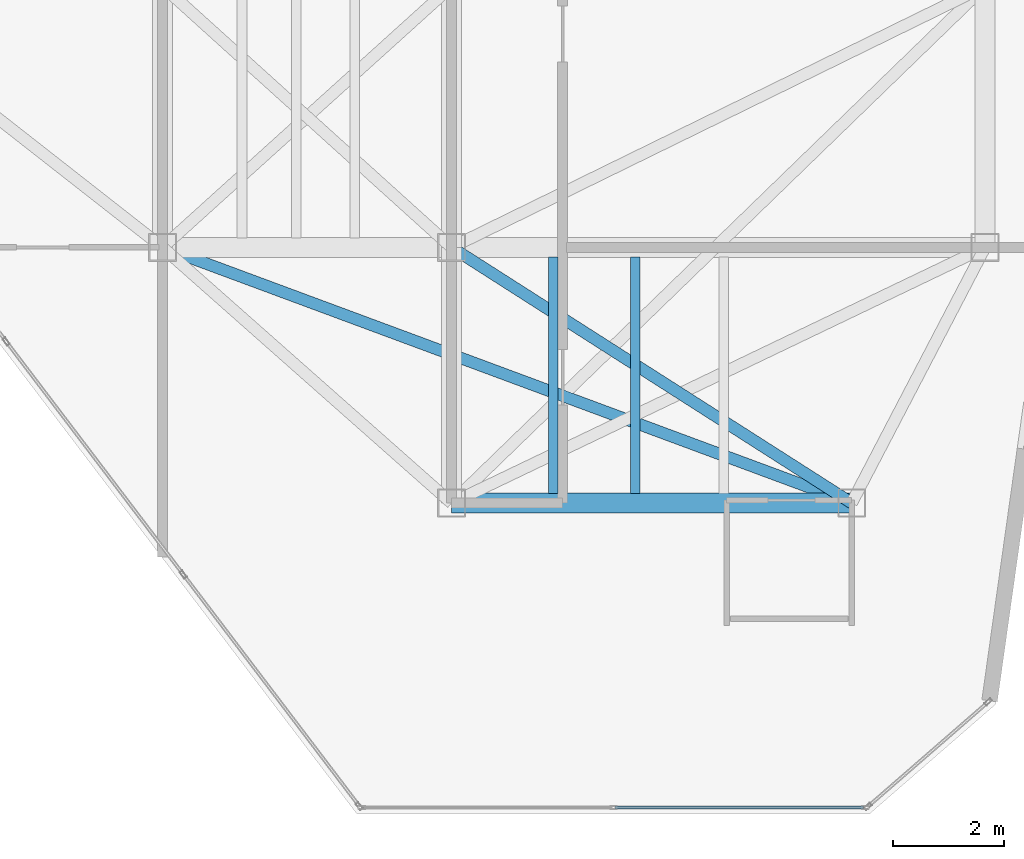
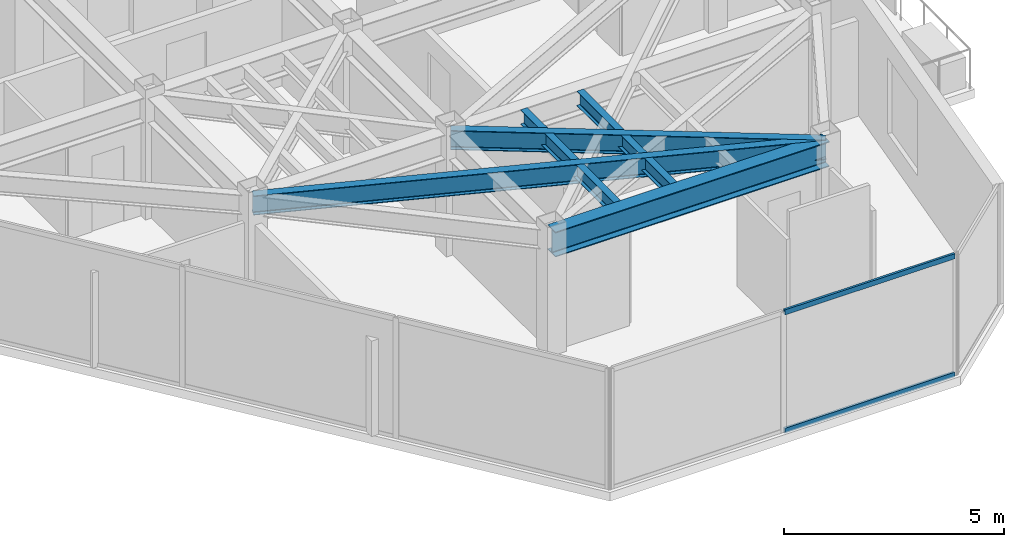
# One storey, part 13 of 20: 5 beams, 2 members, 1 element without a shape of its own.
"""IFC4 building model written with IfcOpenShell, lengths in metres."""

from ifc_helpers import new_model, si_unit, direction, frame, origin, origin_2d, place, context, subcontext, project, spatial, hollow_rectangle, i_section, extrude, material, layer, layer_set, material_profile, profile_set, type_object, element, aggregate, save


model = new_model("IFC4")

# Units and contexts
model_context = context("Model", 3, precision=1e-05, world=origin(), true_north=direction((0.0, 1.0)))
body_context = subcontext(model_context, "Body", "Model", "MODEL_VIEW")
ifc_project = project(units=[si_unit("LENGTHUNIT", "METRE"), si_unit("AREAUNIT", "SQUARE_METRE"), si_unit("VOLUMEUNIT", "CUBIC_METRE"), si_unit("PLANEANGLEUNIT", "RADIAN"), si_unit("MASSUNIT", "GRAM", prefix="KILO")], contexts=[model_context])

# Site, building, storey
site_placement = place(None, origin())
site = spatial("IfcSite", under=ifc_project, at=site_placement, CompositionType="ELEMENT")
building_placement = place(site_placement, origin())
building = spatial("IfcBuilding", under=site, at=building_placement, Name="Kravanh Interchange Tower", CompositionType="ELEMENT")
storey_placement = place(building_placement, frame((0.0, 0.0, 241.800048828125)))
storey = spatial("IfcBuildingStorey", under=building, at=storey_placement, Name="L58", CompositionType="ELEMENT", Elevation=241.800048828125)

# Curtain wall, members
ifc_material_1 = material(Name="Anodised Bronze Aluminium", Category="aluminium")
ifc_layer = layer(ifc_material_1, 0.179931640625)
ifc_layer_set = layer_set([ifc_layer], Name="Unitised Curtain Wall System CW-HTL Luxury Hotel")
curtain_wall_type = type_object("IfcCurtainWallType", Name="Unitised Curtain Wall System CW-HTL Luxury Hotel", PredefinedType="NOTDEFINED", material=ifc_layer_set)
curtain_wall_placement = place(storey_placement, origin())
curtain_wall = element("IfcCurtainWall", 1, at=curtain_wall_placement, inside=storey, type_object=curtain_wall_type, Name="L58 Unitised Curtain Wall CW-L58-03", PredefinedType="NOTDEFINED")
ifc_material_2 = material(Name="Anodised Bronze Aluminium", Category="aluminium")
ifc_material_profile_1 = material_profile(ifc_material_2, hollow_rectangle(XDim=0.06005859375, YDim=0.139892578125, WallThickness=0.00390625, at=origin_2d()), Name="ALU60X140X4")
ifc_profile_set_1 = profile_set([ifc_material_profile_1], Name="Anodised Bronze Aluminium")
member_type = type_object("IfcMemberType", Name="Curtain Wall Transom ALU60X140X4 Bronze", PredefinedType="USERDEFINED", material=ifc_profile_set_1)
member_1_placement = place(storey_placement, frame((63.411865234375, 16.719970703125, 0.030029296875), z_axis=(-1.0, 0.0, 0.0), x_axis=(0.0, -1.0, 0.0)))
member_1 = element("IfcMember", 2, at=member_1_placement, type_object=member_type, Name="CW-HTL transom 1.1", ObjectType="TRANSOM", PredefinedType="USERDEFINED", context=body_context, shape_type="SweptSolid", body=[
    extrude(hollow_rectangle(XDim=0.06005859375, YDim=0.139892578125, WallThickness=0.00390625, at=origin_2d()), origin(), (0.0, 0.0, 1.0), 4.46630859375),
])
member_2_placement = place(storey_placement, frame((63.411865234375, 16.719970703125, 3.320068359375), z_axis=(-1.0, 0.0, 0.0), x_axis=(0.0, -1.0, 0.0)))
member_2 = element("IfcMember", 3, at=member_2_placement, type_object=member_type, Name="CW-HTL transom 1.2", ObjectType="TRANSOM", PredefinedType="USERDEFINED", context=body_context, shape_type="SweptSolid", body=[
    extrude(hollow_rectangle(XDim=0.06005859375, YDim=0.139892578125, WallThickness=0.00390625, at=origin_2d()), origin(), (0.0, 0.0, 1.0), 4.46630859375),
])
aggregate(curtain_wall, [member_1, member_2])

# Beams
ifc_material_3 = material(Name="Structural Steel S355", Category="steel")
ifc_material_profile_2 = material_profile(ifc_material_3, i_section(OverallWidth=0.35498046875, OverallDepth=0.696044921875, WebThickness=0.015380859375, FlangeThickness=0.02490234375, FilletRadius=0.02392578125, at=origin_2d()), Name="W27X146")
ifc_profile_set_2 = profile_set([ifc_material_profile_2], Name="Structural Steel S355")
beam_type_1 = type_object("IfcBeamType", Name="Floor Beam W27X146 Structural Steel S355", PredefinedType="BEAM", material=ifc_profile_set_2)
beam_1_placement = place(storey_placement, frame((56.0, 22.199951171875, 3.001953125), z_axis=(1.0, 0.0, 0.0), x_axis=(0.0, 1.0, 0.0)))
element("IfcBeam", 4, at=beam_1_placement, inside=storey, type_object=beam_type_1, Name="L58 Primary Floor Girder 39", PredefinedType="BEAM", context=body_context, shape_type="SweptSolid", body=[
    extrude(i_section(OverallWidth=0.35498046875, OverallDepth=0.696044921875, WebThickness=0.015380859375, FlangeThickness=0.02490234375, FilletRadius=0.02392578125, at=origin_2d()), origin(), (0.0, 0.0, 1.0), 7.199951171875),
])
ifc_material_4 = material(Name="Structural Steel S355", Category="steel")
ifc_material_profile_3 = material_profile(ifc_material_4, i_section(OverallWidth=0.177978515625, OverallDepth=0.406005859375, WebThickness=0.0078125, FlangeThickness=0.0126953125, FilletRadius=0.01611328125, at=origin_2d()), Name="W16X40")
ifc_profile_set_3 = profile_set([ifc_material_profile_3], Name="Structural Steel S355")
beam_type_2 = type_object("IfcBeamType", Name="Floor Joist W16X40 Structural Steel S355", PredefinedType="JOIST", material=ifc_profile_set_3)
for number, where, z_axis, x_axis, name in (
    (5, (57.830078125, 22.37255859375, 3.14697265625), (0.0, 1.0, 0.0), (-1.0, 0.0, 0.0), "L58 Secondary Floor Joist 1"),
    (6, (59.304931640625, 22.37255859375, 3.14697265625), (0.0, 1.0, 0.0), (-1.0, 0.0, 0.0), "L58 Secondary Floor Joist 2"),
):
    element("IfcBeam", number, at=place(storey_placement, frame(where, z_axis=z_axis, x_axis=x_axis)), inside=storey, type_object=beam_type_2, Name=name, PredefinedType="JOIST", context=body_context, shape_type="SweptSolid", body=[
        extrude(i_section(OverallWidth=0.177978515625, OverallDepth=0.406005859375, WebThickness=0.0078125, FlangeThickness=0.0126953125, FilletRadius=0.01611328125, at=origin_2d()), origin(), (0.0, 0.0, 1.0), 4.2548828125),
    ])
ifc_material_5 = material(Name="Structural Steel S355", Category="steel")
ifc_material_profile_4 = material_profile(ifc_material_5, i_section(OverallWidth=0.2099609375, OverallDepth=0.537109375, WebThickness=0.010986328125, FlangeThickness=0.017333984375, FilletRadius=0.02001953125, at=origin_2d()), Name="W21X68")
ifc_profile_set_4 = profile_set([ifc_material_profile_4], Name="Structural Steel S355")
beam_type_3 = type_object("IfcBeamType", Name="Floor Spandrel W21X68 Structural Steel S355", PredefinedType="SPANDREL", material=ifc_profile_set_4)
beam_2_placement = place(storey_placement, frame((50.800048828125, 26.800048828125, 3.08154296875), z_axis=(0.937562917338, -0.347815721372, 0.0), x_axis=(0.347815721372, 0.937562917338, 0.0)))
element("IfcBeam", 7, at=beam_2_placement, inside=storey, type_object=beam_type_3, Name="L58 Perimeter Spandrel 33", PredefinedType="SPANDREL", context=body_context, shape_type="SweptSolid", body=[
    extrude(i_section(OverallWidth=0.2099609375, OverallDepth=0.537109375, WebThickness=0.010986328125, FlangeThickness=0.017333984375, FilletRadius=0.02001953125, at=origin_2d()), origin(), (0.0, 0.0, 1.0), 13.2255859375),
])
beam_3_placement = place(storey_placement, frame((56.0, 26.800048828125, 3.08154296875), z_axis=(0.842689417531, -0.53839998661, 0.0), x_axis=(0.53839998661, 0.842689417531, 0.0)))
element("IfcBeam", 8, at=beam_3_placement, inside=storey, type_object=beam_type_3, Name="L58 Perimeter Spandrel 35", PredefinedType="SPANDREL", context=body_context, shape_type="SweptSolid", body=[
    extrude(i_section(OverallWidth=0.2099609375, OverallDepth=0.537109375, WebThickness=0.010986328125, FlangeThickness=0.017333984375, FilletRadius=0.02001953125, at=origin_2d()), origin(), (0.0, 0.0, 1.0), 8.5439453125),
])

save(model, "model.ifc")
